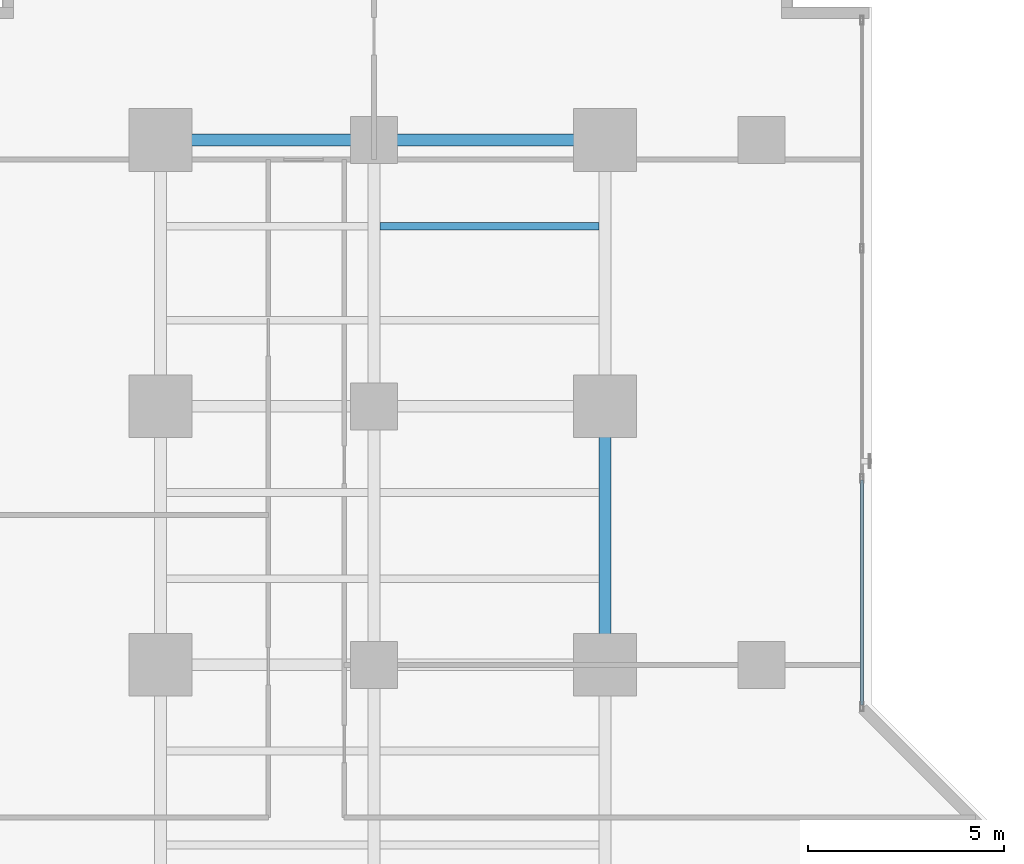
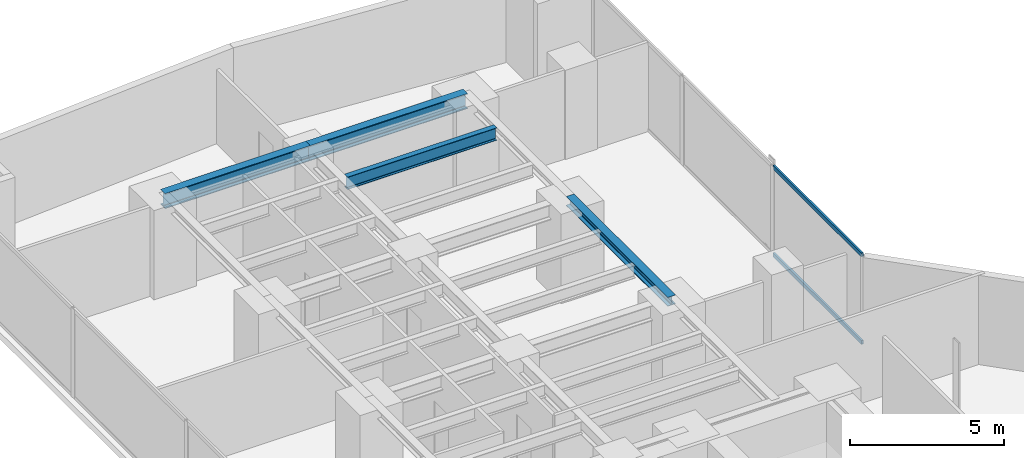
# One storey, part 18 of 28: 4 beams, 2 members, 1 element without a shape of its own.
"""IFC4 building model written with IfcOpenShell, lengths in metres."""

from ifc_helpers import new_model, si_unit, direction, frame, origin, origin_with_axes, origin_2d, place, context, subcontext, project, spatial, hollow_rectangle, i_section, extrude, source, transform, mapped, material, layer, layer_set, material_profile, profile_set, type_object, element, aggregate, save


model = new_model("IFC4")

# Units and contexts
model_context = context("Model", 3, precision=1e-05, world=origin(), true_north=direction((0.0, 1.0)))
body_context = subcontext(model_context, "Body", "Model", "MODEL_VIEW")
ifc_project = project(units=[si_unit("LENGTHUNIT", "METRE"), si_unit("AREAUNIT", "SQUARE_METRE"), si_unit("VOLUMEUNIT", "CUBIC_METRE"), si_unit("PLANEANGLEUNIT", "RADIAN"), si_unit("MASSUNIT", "GRAM", prefix="KILO")], contexts=[model_context])

# Site, building, storey
site_placement = place(None, origin())
site = spatial("IfcSite", under=ifc_project, at=site_placement, CompositionType="ELEMENT")
building_placement = place(site_placement, origin())
building = spatial("IfcBuilding", under=site, at=building_placement, Name="Kolvaren Waterfront Exchange", CompositionType="ELEMENT")
storey_placement = place(building_placement, frame((0.0, 0.0, 75.199951171875)))
storey = spatial("IfcBuildingStorey", under=building, at=storey_placement, Name="L19", CompositionType="ELEMENT", Elevation=75.199951171875)

# Beams
ifc_material_1 = material(Name="Steel S355", Category="steel")
ifc_material_profile_1 = material_profile(ifc_material_1, i_section(OverallWidth=0.300048828125, OverallDepth=0.360107421875, WebThickness=0.012451171875, FlangeThickness=0.0224609375, FilletRadius=0.027099609375, at=origin_2d()), Name="HEB360")
ifc_profile_set_1 = profile_set([ifc_material_profile_1], Name="Steel S355")
beam_type_1 = type_object("IfcBeamType", Name="STR-BM-HEB360", PredefinedType="SPANDREL", material=ifc_profile_set_1)
beam_1_placement = place(storey_placement, frame((18.800048828125, 31.199951171875, 3.360107421875), z_axis=(0.0, 1.0, 0.0), x_axis=(-1.0, 0.0, 0.0)))
element("IfcBeam", 1, at=beam_1_placement, inside=storey, type_object=beam_type_1, Name="L19 north-arm edge beam 2", PredefinedType="SPANDREL", context=body_context, shape_type="SweptSolid", body=[
    extrude(i_section(OverallWidth=0.300048828125, OverallDepth=0.360107421875, WebThickness=0.012451171875, FlangeThickness=0.0224609375, FilletRadius=0.027099609375, at=origin_2d()), origin(), (0.0, 0.0, 1.0), 6.60009765625),
])
ifc_material_profile_2 = material_profile(ifc_material_1, i_section(OverallWidth=0.300048828125, OverallDepth=0.60009765625, WebThickness=0.015380859375, FlangeThickness=0.030029296875, FilletRadius=0.027099609375, at=origin_2d()), Name="HEB600")
ifc_profile_set_2 = profile_set([ifc_material_profile_2], Name="Steel S355")
beam_type_2 = type_object("IfcBeamType", Name="STR-BM-HEB600", PredefinedType="BEAM", material=ifc_profile_set_2)
beam_2_placement = place(storey_placement, frame((7.449951171875, 44.60009765625, 3.239990234375), z_axis=(1.0, 0.0, 0.0), x_axis=(0.0, 1.0, 0.0)))
element("IfcBeam", 2, at=beam_2_placement, inside=storey, type_object=beam_type_2, Name="L19 north-arm girder 4A", PredefinedType="BEAM", context=body_context, shape_type="SweptSolid", body=[
    extrude(i_section(OverallWidth=0.300048828125, OverallDepth=0.60009765625, WebThickness=0.015380859375, FlangeThickness=0.030029296875, FilletRadius=0.027099609375, at=origin_2d()), origin(), (0.0, 0.0, 1.0), 5.449951171875),
])
beam_3_placement = place(storey_placement, frame((12.89990234375, 44.60009765625, 3.239990234375), z_axis=(1.0, 0.0, 0.0), x_axis=(0.0, 1.0, 0.0)))
element("IfcBeam", 3, at=beam_3_placement, inside=storey, type_object=beam_type_2, Name="L19 north-arm girder 4B", PredefinedType="BEAM", context=body_context, shape_type="SweptSolid", body=[
    extrude(i_section(OverallWidth=0.300048828125, OverallDepth=0.60009765625, WebThickness=0.015380859375, FlangeThickness=0.030029296875, FilletRadius=0.027099609375, at=origin_2d()), origin(), (0.0, 0.0, 1.0), 5.900146484375),
])
ifc_material_profile_3 = material_profile(ifc_material_1, i_section(OverallWidth=0.199951171875, OverallDepth=0.5, WebThickness=0.01025390625, FlangeThickness=0.01611328125, FilletRadius=0.02099609375, at=origin_2d()), Name="IPE500")
ifc_profile_set_3 = profile_set([ifc_material_profile_3], Name="Steel S355")
beam_type_3 = type_object("IfcBeamType", Name="STR-BM-IPE500", PredefinedType="JOIST", material=ifc_profile_set_3)
beam_4_placement = place(storey_placement, frame((13.052001953125, 42.39990234375, 3.2900390625), z_axis=(1.0, 0.0, 0.0), x_axis=(0.0, 1.0, 0.0)))
element("IfcBeam", 4, at=beam_4_placement, inside=storey, type_object=beam_type_3, Name="L19 north-arm composite joist 6B", PredefinedType="JOIST", context=body_context, shape_type="SweptSolid", body=[
    extrude(i_section(OverallWidth=0.199951171875, OverallDepth=0.5, WebThickness=0.01025390625, FlangeThickness=0.01611328125, FilletRadius=0.02099609375, at=origin_2d()), origin(), (0.0, 0.0, 1.0), 5.595947265625),
])

# Curtain wall, members
ifc_material_2 = material(Name="Anodised bronze aluminium 6063-T6", Category="aluminium")
ifc_layer = layer(ifc_material_2, 0.219970703125, Name="Anodised bronze aluminium 6063-T6")
ifc_layer_set = layer_set([ifc_layer], Name="Anodised bronze aluminium 6063-T6")
curtain_wall_type = type_object("IfcCurtainWallType", Name="ARC-CW-SYS1", PredefinedType="USERDEFINED", material=ifc_layer_set)
curtain_wall_placement = place(storey_placement, origin())
curtain_wall = element("IfcCurtainWall", 5, at=curtain_wall_placement, inside=storey, type_object=curtain_wall_type, Name="L19 stick curtain wall CW1 (CW-L19-NE)", ObjectType="STICK CURTAIN WALL", PredefinedType="USERDEFINED")
ifc_material_3 = material(Name="Anodised aluminium 6063-T6", Category="aluminium")
ifc_material_profile_4 = material_profile(ifc_material_3, hollow_rectangle(XDim=0.074951171875, YDim=0.159912109375, WallThickness=0.00439453125, at=origin_2d()), Name="ALU-TRN-160x75x4.5")
ifc_profile_set_4 = profile_set([ifc_material_profile_4], Name="Anodised aluminium 6063-T6")
member_type = type_object("IfcMemberType", Name="ARC-CWT-160", PredefinedType="USERDEFINED", material=ifc_profile_set_4)
shared_shape = source(origin_with_axes(), body_context, "Body", "SweptSolid", [
    extrude(hollow_rectangle(XDim=0.074951171875, YDim=0.159912109375, WallThickness=0.00439453125, at=origin_2d()), origin(), (0.0, 0.0, 1.0), 5.75),
])
member_1_placement = place(storey_placement, frame((25.360107421875, 30.169921875, 0.03759765625), z_axis=(0.0, 1.0, 0.0), x_axis=(-1.0, 0.0, 0.0)))
member_1 = element("IfcMember", 6, at=member_1_placement, type_object=member_type, Name="CW1 transom 1.1", ObjectType="TRANSOM", PredefinedType="USERDEFINED", context=body_context, shape_type="MappedRepresentation", body=[
    mapped(shared_shape, transform((0.0, 0.0, 0.0), x_axis=(1.0, 0.0, 0.0), y_axis=(0.0, 1.0, 0.0), z_axis=(0.0, 0.0, 1.0), scale=1.0)),
])
member_2_placement = place(storey_placement, frame((25.360107421875, 30.169921875, 3.50244140625), z_axis=(0.0, 1.0, 0.0), x_axis=(-1.0, 0.0, 0.0)))
member_2 = element("IfcMember", 7, at=member_2_placement, type_object=member_type, Name="CW1 transom 1.2", ObjectType="TRANSOM", PredefinedType="USERDEFINED", context=body_context, shape_type="MappedRepresentation", body=[
    mapped(shared_shape, transform((0.0, 0.0, 0.0), x_axis=(1.0, 0.0, 0.0), y_axis=(0.0, 1.0, 0.0), z_axis=(0.0, 0.0, 1.0), scale=1.0)),
])
aggregate(curtain_wall, [member_1, member_2])

save(model, "model.ifc")
